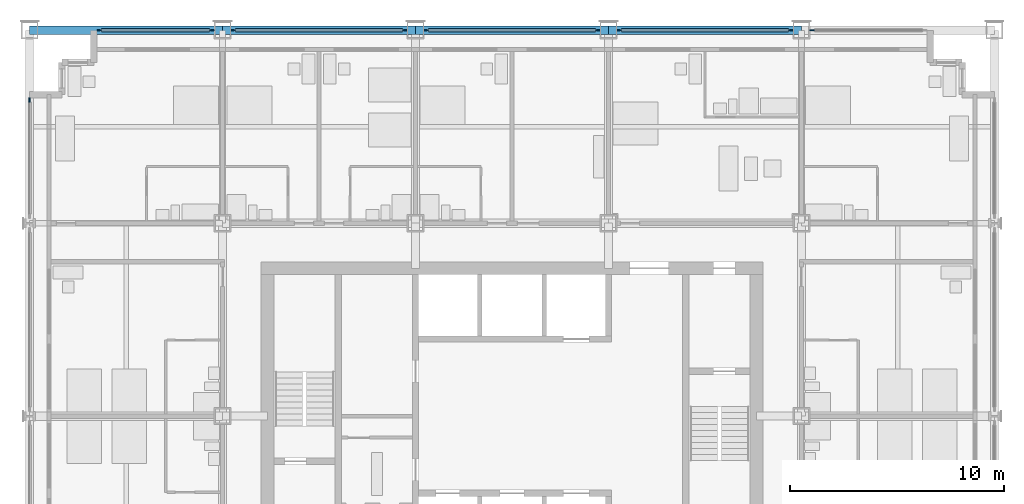
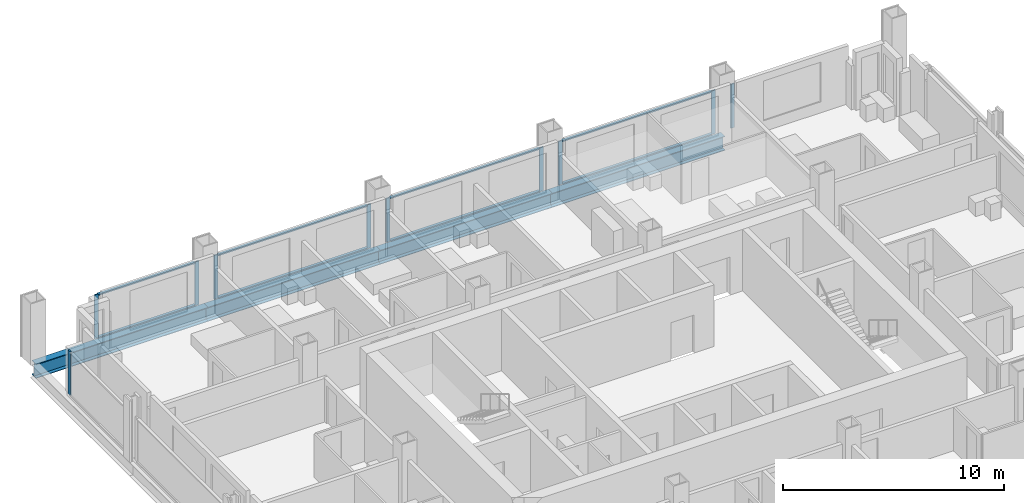
# One storey, part 6 of 16: 18 members, 4 beams, 6 elements without a shape of their own.
"""IFC4 building model written with IfcOpenShell, lengths in metres."""

from ifc_helpers import new_model, si_unit, direction, frame, origin, origin_2d, place, context, subcontext, project, spatial, rectangle, i_section, extrude, material, material_profile, profile_set, type_object, element, aggregate, save


model = new_model("IFC4")

# Units and contexts
model_context = context("Model", 3, precision=1e-05, world=origin(), true_north=direction((0.0, 1.0)))
body_context = subcontext(model_context, "Body", "Model", "MODEL_VIEW")
ifc_project = project(units=[si_unit("LENGTHUNIT", "METRE"), si_unit("AREAUNIT", "SQUARE_METRE"), si_unit("VOLUMEUNIT", "CUBIC_METRE"), si_unit("PLANEANGLEUNIT", "RADIAN"), si_unit("MASSUNIT", "GRAM", prefix="KILO")], contexts=[model_context])

# Site, building, storey
site_placement = place(None, origin())
site = spatial("IfcSite", under=ifc_project, at=site_placement, CompositionType="ELEMENT")
building_placement = place(site_placement, origin())
building = spatial("IfcBuilding", under=site, at=building_placement, Name="Loomwork Tower", CompositionType="ELEMENT")
storey_placement = place(building_placement, frame((0.0, 0.0, 131.60009765625)))
storey = spatial("IfcBuildingStorey", under=building, at=storey_placement, Name="L35", CompositionType="ELEMENT", Elevation=131.60009765625)

# Curtain wall, members
ifc_material_1 = material(Name="Aluminium curtain wall frame", Category="aluminium")
curtain_wall_type = type_object("IfcCurtainWallType", Name="Outer skin glazing hotel", PredefinedType="NOTDEFINED", material=ifc_material_1)
curtain_wall_1_placement = place(storey_placement, origin())
curtain_wall_1 = element("IfcCurtainWall", 1, at=curtain_wall_1_placement, inside=storey, type_object=curtain_wall_type, Name="Outer skin glazing hotel cw/N-0", PredefinedType="NOTDEFINED")
ifc_material_2 = material(Name="Aluminium curtain wall frame", Category="aluminium")
ifc_material_profile_1 = material_profile(ifc_material_2, rectangle(XDim=0.06494140625, YDim=0.199951171875, at=origin_2d()), Name="AL 65x200")
ifc_profile_set_1 = profile_set([ifc_material_profile_1], Name="Aluminium curtain wall frame")
member_type_1 = type_object("IfcMemberType", Name="Outer skin glazing hotel mullion", PredefinedType="MULLION", material=ifc_profile_set_1)
member_1_placement = place(storey_placement, frame((8.5, 36.0, 0.0), z_axis=(0.0, 0.0, 1.0), x_axis=(0.0, -1.0, 0.0)))
member_1 = element("IfcMember", 2, at=member_1_placement, type_object=member_type_1, Name="CW1 mullion 1", PredefinedType="MULLION", context=body_context, shape_type="SweptSolid", body=[
    extrude(rectangle(XDim=0.06494140625, YDim=0.199951171875, at=origin_2d()), origin(), (0.0, 0.0, 1.0), 2.420166015625),
])
member_2_placement = place(storey_placement, frame((3.25, 36.0, 0.0), z_axis=(0.0, 0.0, 1.0), x_axis=(0.0, -1.0, 0.0)))
member_2 = element("IfcMember", 3, at=member_2_placement, type_object=member_type_1, Name="CW1 mullion 2", PredefinedType="MULLION", context=body_context, shape_type="SweptSolid", body=[
    extrude(rectangle(XDim=0.06494140625, YDim=0.199951171875, at=origin_2d()), origin(), (0.0, 0.0, 1.0), 2.420166015625),
])

curtain_wall_2_placement = place(storey_placement, origin())
curtain_wall_2 = element("IfcCurtainWall", 4, at=curtain_wall_2_placement, inside=storey, type_object=curtain_wall_type, Name="Outer skin glazing hotel cw/N-9", PredefinedType="NOTDEFINED")
member_3_placement = place(storey_placement, frame((17.5, 36.0, 0.0), z_axis=(0.0, 0.0, 1.0), x_axis=(0.0, -1.0, 0.0)))
member_3 = element("IfcMember", 5, at=member_3_placement, type_object=member_type_1, Name="CW1 mullion 1", PredefinedType="MULLION", context=body_context, shape_type="SweptSolid", body=[
    extrude(rectangle(XDim=0.06494140625, YDim=0.199951171875, at=origin_2d()), origin(), (0.0, 0.0, 1.0), 2.420166015625),
])
member_4_placement = place(storey_placement, frame((9.5, 36.0, 0.0), z_axis=(0.0, 0.0, 1.0), x_axis=(0.0, -1.0, 0.0)))
member_4 = element("IfcMember", 6, at=member_4_placement, type_object=member_type_1, Name="CW1 mullion 2", PredefinedType="MULLION", context=body_context, shape_type="SweptSolid", body=[
    extrude(rectangle(XDim=0.06494140625, YDim=0.199951171875, at=origin_2d()), origin(), (0.0, 0.0, 1.0), 2.420166015625),
])

curtain_wall_3_placement = place(storey_placement, origin())
curtain_wall_3 = element("IfcCurtainWall", 7, at=curtain_wall_3_placement, inside=storey, type_object=curtain_wall_type, Name="Outer skin glazing hotel cw/N-18", PredefinedType="NOTDEFINED")
member_5_placement = place(storey_placement, frame((26.5, 36.0, 0.0), z_axis=(0.0, 0.0, 1.0), x_axis=(0.0, -1.0, 0.0)))
member_5 = element("IfcMember", 8, at=member_5_placement, type_object=member_type_1, Name="CW1 mullion 1", PredefinedType="MULLION", context=body_context, shape_type="SweptSolid", body=[
    extrude(rectangle(XDim=0.06494140625, YDim=0.199951171875, at=origin_2d()), origin(), (0.0, 0.0, 1.0), 2.420166015625),
])
member_6_placement = place(storey_placement, frame((18.5, 36.0, 0.0), z_axis=(0.0, 0.0, 1.0), x_axis=(0.0, -1.0, 0.0)))
member_6 = element("IfcMember", 9, at=member_6_placement, type_object=member_type_1, Name="CW1 mullion 2", PredefinedType="MULLION", context=body_context, shape_type="SweptSolid", body=[
    extrude(rectangle(XDim=0.06494140625, YDim=0.199951171875, at=origin_2d()), origin(), (0.0, 0.0, 1.0), 2.420166015625),
])

curtain_wall_4_placement = place(storey_placement, origin())
curtain_wall_4 = element("IfcCurtainWall", 10, at=curtain_wall_4_placement, inside=storey, type_object=curtain_wall_type, Name="Outer skin glazing hotel cw/N-27", PredefinedType="NOTDEFINED")
member_7_placement = place(storey_placement, frame((35.5, 36.0, 0.0), z_axis=(0.0, 0.0, 1.0), x_axis=(0.0, -1.0, 0.0)))
member_7 = element("IfcMember", 11, at=member_7_placement, type_object=member_type_1, Name="CW1 mullion 1", PredefinedType="MULLION", context=body_context, shape_type="SweptSolid", body=[
    extrude(rectangle(XDim=0.06494140625, YDim=0.199951171875, at=origin_2d()), origin(), (0.0, 0.0, 1.0), 2.420166015625),
])
member_8_placement = place(storey_placement, frame((27.5, 36.0, 0.0), z_axis=(0.0, 0.0, 1.0), x_axis=(0.0, -1.0, 0.0)))
member_8 = element("IfcMember", 12, at=member_8_placement, type_object=member_type_1, Name="CW1 mullion 2", PredefinedType="MULLION", context=body_context, shape_type="SweptSolid", body=[
    extrude(rectangle(XDim=0.06494140625, YDim=0.199951171875, at=origin_2d()), origin(), (0.0, 0.0, 1.0), 2.420166015625),
])

# Curtain wall, member
curtain_wall_5_placement = place(storey_placement, origin())
curtain_wall_5 = element("IfcCurtainWall", 13, at=curtain_wall_5_placement, inside=storey, type_object=curtain_wall_type, Name="Outer skin glazing hotel cw/N-36", PredefinedType="NOTDEFINED")
member_9_placement = place(storey_placement, frame((36.5, 36.0, 0.0), z_axis=(0.0, 0.0, 1.0), x_axis=(0.0, -1.0, 0.0)))
member_9 = element("IfcMember", 14, at=member_9_placement, type_object=member_type_1, Name="CW1 mullion 2", PredefinedType="MULLION", context=body_context, shape_type="SweptSolid", body=[
    extrude(rectangle(XDim=0.06494140625, YDim=0.199951171875, at=origin_2d()), origin(), (0.0, 0.0, 1.0), 2.420166015625),
])
aggregate(curtain_wall_5, [member_9])

curtain_wall_6_placement = place(storey_placement, origin())
curtain_wall_6 = element("IfcCurtainWall", 15, at=curtain_wall_6_placement, inside=storey, type_object=curtain_wall_type, Name="Outer skin glazing hotel cw/W-27", PredefinedType="NOTDEFINED")
member_10_placement = place(storey_placement, frame((0.0, 32.75, 0.0), z_axis=(0.0, 0.0, 1.0), x_axis=(1.0, 0.0, 0.0)))
member_10 = element("IfcMember", 16, at=member_10_placement, type_object=member_type_1, Name="CW1 mullion 1", PredefinedType="MULLION", context=body_context, shape_type="SweptSolid", body=[
    extrude(rectangle(XDim=0.06494140625, YDim=0.199951171875, at=origin_2d()), origin(), (0.0, 0.0, 1.0), 2.420166015625),
])
aggregate(curtain_wall_6, [member_10])

# Member
ifc_material_3 = material(Name="Aluminium curtain wall frame", Category="aluminium")
ifc_material_profile_2 = material_profile(ifc_material_3, rectangle(XDim=0.14990234375, YDim=0.06494140625, at=origin_2d()), Name="AL 65x150")
ifc_profile_set_2 = profile_set([ifc_material_profile_2], Name="Aluminium curtain wall frame")
member_type_2 = type_object("IfcMemberType", Name="Outer skin glazing hotel transom", PredefinedType="USERDEFINED", material=ifc_profile_set_2)
member_11_placement = place(storey_placement, frame((8.39990234375, 36.0, 0.032470703125), z_axis=(-1.0, 0.0, 0.0), x_axis=(0.0, -1.0, 0.0)))
member_11 = element("IfcMember", 17, at=member_11_placement, type_object=member_type_2, Name="CW1 transom 1.1", ObjectType="TRANSOM", PredefinedType="USERDEFINED", context=body_context, shape_type="SweptSolid", body=[
    extrude(rectangle(XDim=0.14990234375, YDim=0.06494140625, at=origin_2d()), origin(), (0.0, 0.0, 1.0), 5.0498046875),
])

member_12_placement = place(storey_placement, frame((8.39990234375, 36.0, 2.3876953125), z_axis=(-1.0, 0.0, 0.0), x_axis=(0.0, -1.0, 0.0)))
member_12 = element("IfcMember", 18, at=member_12_placement, type_object=member_type_2, Name="CW1 transom 1.2", ObjectType="TRANSOM", PredefinedType="USERDEFINED", context=body_context, shape_type="SweptSolid", body=[
    extrude(rectangle(XDim=0.14990234375, YDim=0.06494140625, at=origin_2d()), origin(), (0.0, 0.0, 1.0), 5.0498046875),
])

aggregate(curtain_wall_1, [member_1, member_2, member_11, member_12])

member_13_placement = place(storey_placement, frame((17.39990234375, 36.0, 0.032470703125), z_axis=(-1.0, 0.0, 0.0), x_axis=(0.0, -1.0, 0.0)))
member_13 = element("IfcMember", 19, at=member_13_placement, type_object=member_type_2, Name="CW1 transom 1.1", ObjectType="TRANSOM", PredefinedType="USERDEFINED", context=body_context, shape_type="SweptSolid", body=[
    extrude(rectangle(XDim=0.14990234375, YDim=0.06494140625, at=origin_2d()), origin(), (0.0, 0.0, 1.0), 7.7998046875),
])

member_14_placement = place(storey_placement, frame((17.39990234375, 36.0, 2.3876953125), z_axis=(-1.0, 0.0, 0.0), x_axis=(0.0, -1.0, 0.0)))
member_14 = element("IfcMember", 20, at=member_14_placement, type_object=member_type_2, Name="CW1 transom 1.2", ObjectType="TRANSOM", PredefinedType="USERDEFINED", context=body_context, shape_type="SweptSolid", body=[
    extrude(rectangle(XDim=0.14990234375, YDim=0.06494140625, at=origin_2d()), origin(), (0.0, 0.0, 1.0), 7.7998046875),
])

aggregate(curtain_wall_2, [member_3, member_4, member_13, member_14])

member_15_placement = place(storey_placement, frame((26.39990234375, 36.0, 0.032470703125), z_axis=(-1.0, 0.0, 0.0), x_axis=(0.0, -1.0, 0.0)))
member_15 = element("IfcMember", 21, at=member_15_placement, type_object=member_type_2, Name="CW1 transom 1.1", ObjectType="TRANSOM", PredefinedType="USERDEFINED", context=body_context, shape_type="SweptSolid", body=[
    extrude(rectangle(XDim=0.14990234375, YDim=0.06494140625, at=origin_2d()), origin(), (0.0, 0.0, 1.0), 7.7998046875),
])

member_16_placement = place(storey_placement, frame((26.39990234375, 36.0, 2.3876953125), z_axis=(-1.0, 0.0, 0.0), x_axis=(0.0, -1.0, 0.0)))
member_16 = element("IfcMember", 22, at=member_16_placement, type_object=member_type_2, Name="CW1 transom 1.2", ObjectType="TRANSOM", PredefinedType="USERDEFINED", context=body_context, shape_type="SweptSolid", body=[
    extrude(rectangle(XDim=0.14990234375, YDim=0.06494140625, at=origin_2d()), origin(), (0.0, 0.0, 1.0), 7.7998046875),
])

aggregate(curtain_wall_3, [member_5, member_6, member_15, member_16])

member_17_placement = place(storey_placement, frame((35.39990234375, 36.0, 0.032470703125), z_axis=(-1.0, 0.0, 0.0), x_axis=(0.0, -1.0, 0.0)))
member_17 = element("IfcMember", 23, at=member_17_placement, type_object=member_type_2, Name="CW1 transom 1.1", ObjectType="TRANSOM", PredefinedType="USERDEFINED", context=body_context, shape_type="SweptSolid", body=[
    extrude(rectangle(XDim=0.14990234375, YDim=0.06494140625, at=origin_2d()), origin(), (0.0, 0.0, 1.0), 7.7998046875),
])

member_18_placement = place(storey_placement, frame((35.39990234375, 36.0, 2.3876953125), z_axis=(-1.0, 0.0, 0.0), x_axis=(0.0, -1.0, 0.0)))
member_18 = element("IfcMember", 24, at=member_18_placement, type_object=member_type_2, Name="CW1 transom 1.2", ObjectType="TRANSOM", PredefinedType="USERDEFINED", context=body_context, shape_type="SweptSolid", body=[
    extrude(rectangle(XDim=0.14990234375, YDim=0.06494140625, at=origin_2d()), origin(), (0.0, 0.0, 1.0), 7.7998046875),
])

aggregate(curtain_wall_4, [member_7, member_8, member_17, member_18])

# Beams
ifc_material_4 = material(Name="Steel ASTM A992", Category="steel")
ifc_material_profile_3 = material_profile(ifc_material_4, i_section(OverallWidth=0.381103515625, OverallDepth=0.77978515625, WebThickness=0.01806640625, FlangeThickness=0.0302734375, at=origin_2d()), Name="W30x191")
ifc_profile_set_3 = profile_set([ifc_material_profile_3], Name="Steel ASTM A992")
beam_type = type_object("IfcBeamType", Name="SPANDREL GIRDER W30x191", PredefinedType="SPANDREL", material=ifc_profile_set_3)
for number, where, z_axis, x_axis, name in (
    (25, (0.0, 36.0, -0.590087890625), (1.0, 0.0, 0.0), (0.0, 1.0, 0.0), "Spandrel Girder H/2-H/3 L35"),
    (26, (9.0, 36.0, -0.590087890625), (1.0, 0.0, 0.0), (0.0, 1.0, 0.0), "Spandrel Girder H/3-H/4 L35"),
    (27, (18.0, 36.0, -0.590087890625), (1.0, 0.0, 0.0), (0.0, 1.0, 0.0), "Spandrel Girder H/4-H/5 L35"),
    (28, (27.0, 36.0, -0.590087890625), (1.0, 0.0, 0.0), (0.0, 1.0, 0.0), "Spandrel Girder H/5-H/6 L35"),
):
    element("IfcBeam", number, at=place(storey_placement, frame(where, z_axis=z_axis, x_axis=x_axis)), inside=storey, type_object=beam_type, Name=name, PredefinedType="SPANDREL", context=body_context, shape_type="SweptSolid", body=[
        extrude(i_section(OverallWidth=0.381103515625, OverallDepth=0.77978515625, WebThickness=0.01806640625, FlangeThickness=0.0302734375, at=origin_2d()), origin(), (0.0, 0.0, 1.0), 9.0),
    ])

save(model, "model.ifc")
